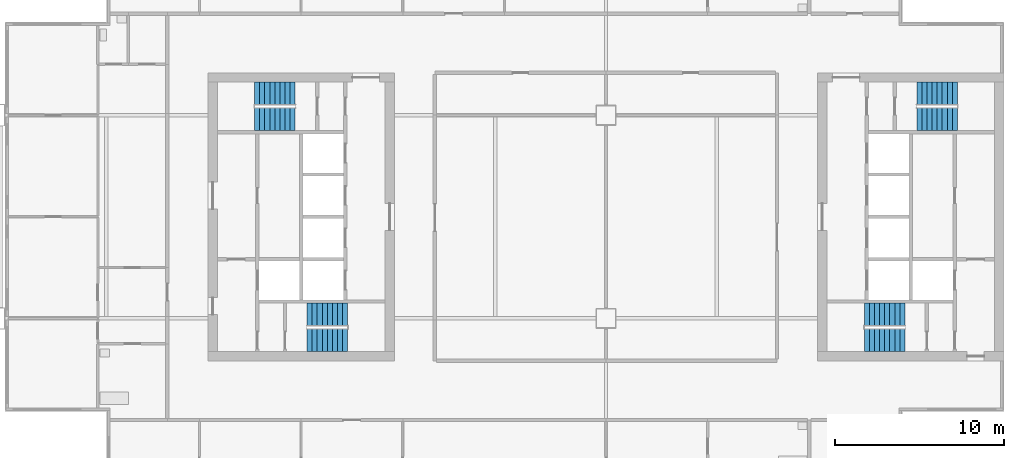
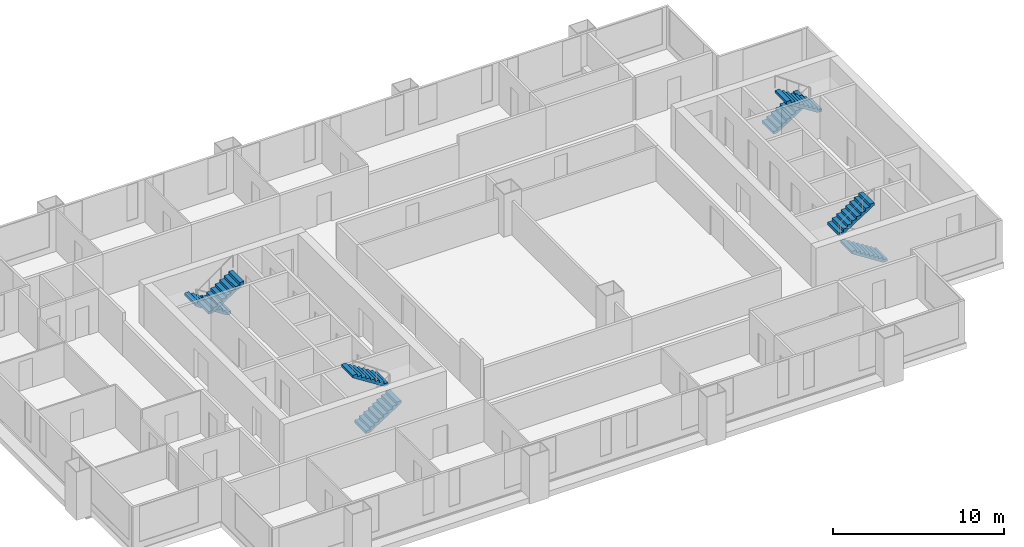
# One storey, part 7 of 9: 8 stair flights, 4 elements without a shape of their own.
"""IFC4 building model written with IfcOpenShell, lengths in metres."""

from ifc_helpers import new_model, si_unit, direction, frame, origin, place, context, subcontext, project, spatial, polyline, outline, extrude, material, type_object, element, aggregate, save


model = new_model("IFC4")

# Units and contexts
model_context = context("Model", 3, precision=1e-05, world=origin(), true_north=direction((0.0, 1.0)))
body_context = subcontext(model_context, "Body", "Model", "MODEL_VIEW")
ifc_project = project(units=[si_unit("LENGTHUNIT", "METRE"), si_unit("AREAUNIT", "SQUARE_METRE"), si_unit("VOLUMEUNIT", "CUBIC_METRE"), si_unit("PLANEANGLEUNIT", "RADIAN"), si_unit("MASSUNIT", "GRAM", prefix="KILO")], contexts=[model_context])

# Site, building, storey
site_placement = place(None, origin())
site = spatial("IfcSite", under=ifc_project, at=site_placement, CompositionType="ELEMENT")
building_placement = place(site_placement, origin())
building = spatial("IfcBuilding", under=site, at=building_placement, Name="Kitamizu Gate Tower and Museum", CompositionType="ELEMENT")
storey_placement = place(building_placement, frame((0.0, 0.0, 168.60009765625)))
storey = spatial("IfcBuildingStorey", under=building, at=storey_placement, Name="L44", CompositionType="ELEMENT", Elevation=168.60009765625)

# Stair, stair flights
ifc_material_1 = material(Name="Concrete Fc42", Category="concrete")
stair_type = type_object("IfcStairType", Name="Exit stair 1325 wide 192 rise 300 going", PredefinedType="HALF_TURN_STAIR", material=ifc_material_1)
stair_1_placement = place(storey_placement, origin())
stair_1 = element("IfcStair", 1, at=stair_1_placement, inside=storey, type_object=stair_type, Name="Exit stair ST1", PredefinedType="HALF_TURN_STAIR")
ifc_material_2 = material(Name="Concrete Fc42", Category="concrete")
stair_flight_type = type_object("IfcStairFlightType", Name="Stair flight 1325 wide 192 rise 300 going", PredefinedType="STRAIGHT", material=ifc_material_2)
stair_flight_1_placement = place(storey_placement, frame((18.35009765625, 22.71240234375, 0.0), z_axis=(0.0, 0.0, 1.0), x_axis=(1.0, 0.0, 0.0)))
stair_flight_1 = element("IfcStairFlight", 2, at=stair_flight_1_placement, type_object=stair_flight_type, Name="ST1 flight 1", NumberOfRisers=9, NumberOfTreads=8, PredefinedType="STRAIGHT", RiserHeight=0.191666667, TreadLength=0.3, context=body_context, shape_type="SweptSolid", body=[
    extrude(outline(polyline([(0.0, 0.0), (0.0, 0.191650390625), (0.300048828125, 0.191650390625), (0.300048828125, 0.38330078125), (0.60009765625, 0.38330078125), (0.60009765625, 0.574951171875), (0.89990234375, 0.574951171875), (0.89990234375, 0.7666015625), (1.199951171875, 0.7666015625), (1.199951171875, 0.958251953125), (1.5, 0.958251953125), (1.5, 1.14990234375), (1.800048828125, 1.14990234375), (1.800048828125, 1.341552734375), (2.10009765625, 1.341552734375), (2.10009765625, 1.533447265625), (2.39990234375, 1.533447265625), (2.39990234375, 1.72509765625), (2.39990234375, 1.35546875), (0.2783203125, 0.0), (0.0, 0.0)])), frame((0.0, 0.66259765625, 0.0), z_axis=(0.0, -1.0, 0.0), x_axis=(1.0, 0.0, 0.0)), (0.0, 0.0, 1.0), 1.324951171875),
])
stair_flight_2_placement = place(storey_placement, frame((20.75, 24.237548828125, 1.724853515625), z_axis=(0.0, 0.0, 1.0), x_axis=(-1.0, 0.0, 0.0)))
stair_flight_2 = element("IfcStairFlight", 3, at=stair_flight_2_placement, type_object=stair_flight_type, Name="ST1 flight 2", NumberOfRisers=9, NumberOfTreads=8, PredefinedType="STRAIGHT", RiserHeight=0.191666667, TreadLength=0.3, context=body_context, shape_type="SweptSolid", body=[
    extrude(outline(polyline([(0.0, 0.0), (0.0, 0.191650390625), (0.300048828125, 0.191650390625), (0.300048828125, 0.38330078125), (0.60009765625, 0.38330078125), (0.60009765625, 0.574951171875), (0.89990234375, 0.574951171875), (0.89990234375, 0.7666015625), (1.199951171875, 0.7666015625), (1.199951171875, 0.958251953125), (1.5, 0.958251953125), (1.5, 1.14990234375), (1.800048828125, 1.14990234375), (1.800048828125, 1.341552734375), (2.10009765625, 1.341552734375), (2.10009765625, 1.533447265625), (2.39990234375, 1.533447265625), (2.39990234375, 1.72509765625), (2.39990234375, 1.35546875), (0.2783203125, 0.0), (0.0, 0.0)])), frame((0.0, 0.66259765625, 0.0), z_axis=(0.0, -1.0, 0.0), x_axis=(1.0, 0.0, 0.0)), (0.0, 0.0, 1.0), 1.324951171875),
])
aggregate(stair_1, [stair_flight_1, stair_flight_2])

stair_2_placement = place(storey_placement, origin())
stair_2 = element("IfcStair", 4, at=stair_2_placement, inside=storey, type_object=stair_type, Name="Exit stair ST2", PredefinedType="HALF_TURN_STAIR")
stair_flight_3_placement = place(storey_placement, frame((17.64990234375, 37.28759765625, 0.0), z_axis=(0.0, 0.0, 1.0), x_axis=(-1.0, 0.0, 0.0)))
stair_flight_3 = element("IfcStairFlight", 5, at=stair_flight_3_placement, type_object=stair_flight_type, Name="ST2 flight 1", NumberOfRisers=9, NumberOfTreads=8, PredefinedType="STRAIGHT", RiserHeight=0.191666667, TreadLength=0.3, context=body_context, shape_type="SweptSolid", body=[
    extrude(outline(polyline([(0.0, 0.0), (0.0, 0.191650390625), (0.300048828125, 0.191650390625), (0.300048828125, 0.38330078125), (0.60009765625, 0.38330078125), (0.60009765625, 0.574951171875), (0.89990234375, 0.574951171875), (0.89990234375, 0.7666015625), (1.199951171875, 0.7666015625), (1.199951171875, 0.958251953125), (1.5, 0.958251953125), (1.5, 1.14990234375), (1.800048828125, 1.14990234375), (1.800048828125, 1.341552734375), (2.10009765625, 1.341552734375), (2.10009765625, 1.533447265625), (2.39990234375, 1.533447265625), (2.39990234375, 1.72509765625), (2.39990234375, 1.35546875), (0.2783203125, 0.0), (0.0, 0.0)])), frame((0.0, 0.66259765625, 0.0), z_axis=(0.0, -1.0, 0.0), x_axis=(1.0, 0.0, 0.0)), (0.0, 0.0, 1.0), 1.324951171875),
])
stair_flight_4_placement = place(storey_placement, frame((15.25, 35.762451171875, 1.724853515625), z_axis=(0.0, 0.0, 1.0), x_axis=(1.0, 0.0, 0.0)))
stair_flight_4 = element("IfcStairFlight", 6, at=stair_flight_4_placement, type_object=stair_flight_type, Name="ST2 flight 2", NumberOfRisers=9, NumberOfTreads=8, PredefinedType="STRAIGHT", RiserHeight=0.191666667, TreadLength=0.3, context=body_context, shape_type="SweptSolid", body=[
    extrude(outline(polyline([(0.0, 0.0), (0.0, 0.191650390625), (0.300048828125, 0.191650390625), (0.300048828125, 0.38330078125), (0.60009765625, 0.38330078125), (0.60009765625, 0.574951171875), (0.89990234375, 0.574951171875), (0.89990234375, 0.7666015625), (1.199951171875, 0.7666015625), (1.199951171875, 0.958251953125), (1.5, 0.958251953125), (1.5, 1.14990234375), (1.800048828125, 1.14990234375), (1.800048828125, 1.341552734375), (2.10009765625, 1.341552734375), (2.10009765625, 1.533447265625), (2.39990234375, 1.533447265625), (2.39990234375, 1.72509765625), (2.39990234375, 1.35546875), (0.2783203125, 0.0), (0.0, 0.0)])), frame((0.0, 0.66259765625, 0.0), z_axis=(0.0, -1.0, 0.0), x_axis=(1.0, 0.0, 0.0)), (0.0, 0.0, 1.0), 1.324951171875),
])
aggregate(stair_2, [stair_flight_3, stair_flight_4])

stair_3_placement = place(storey_placement, origin())
stair_3 = element("IfcStair", 7, at=stair_3_placement, inside=storey, type_object=stair_type, Name="Exit stair ST3", PredefinedType="HALF_TURN_STAIR")
stair_flight_5_placement = place(storey_placement, frame((53.64990234375, 22.71240234375, 0.0), z_axis=(0.0, 0.0, 1.0), x_axis=(-1.0, 0.0, 0.0)))
stair_flight_5 = element("IfcStairFlight", 8, at=stair_flight_5_placement, type_object=stair_flight_type, Name="ST3 flight 1", NumberOfRisers=9, NumberOfTreads=8, PredefinedType="STRAIGHT", RiserHeight=0.191666667, TreadLength=0.3, context=body_context, shape_type="SweptSolid", body=[
    extrude(outline(polyline([(0.0, 0.0), (0.0, 0.191650390625), (0.300048828125, 0.191650390625), (0.300048828125, 0.38330078125), (0.60009765625, 0.38330078125), (0.60009765625, 0.574951171875), (0.89990234375, 0.574951171875), (0.89990234375, 0.7666015625), (1.199951171875, 0.7666015625), (1.199951171875, 0.958251953125), (1.5, 0.958251953125), (1.5, 1.14990234375), (1.800048828125, 1.14990234375), (1.800048828125, 1.341552734375), (2.10009765625, 1.341552734375), (2.10009765625, 1.533447265625), (2.39990234375, 1.533447265625), (2.39990234375, 1.72509765625), (2.39990234375, 1.35546875), (0.2783203125, 0.0), (0.0, 0.0)])), frame((0.0, 0.66259765625, 0.0), z_axis=(0.0, -1.0, 0.0), x_axis=(1.0, 0.0, 0.0)), (0.0, 0.0, 1.0), 1.324951171875),
])
stair_flight_6_placement = place(storey_placement, frame((51.25, 24.237548828125, 1.724853515625), z_axis=(0.0, 0.0, 1.0), x_axis=(1.0, 0.0, 0.0)))
stair_flight_6 = element("IfcStairFlight", 9, at=stair_flight_6_placement, type_object=stair_flight_type, Name="ST3 flight 2", NumberOfRisers=9, NumberOfTreads=8, PredefinedType="STRAIGHT", RiserHeight=0.191666667, TreadLength=0.3, context=body_context, shape_type="SweptSolid", body=[
    extrude(outline(polyline([(0.0, 0.0), (0.0, 0.191650390625), (0.300048828125, 0.191650390625), (0.300048828125, 0.38330078125), (0.60009765625, 0.38330078125), (0.60009765625, 0.574951171875), (0.89990234375, 0.574951171875), (0.89990234375, 0.7666015625), (1.199951171875, 0.7666015625), (1.199951171875, 0.958251953125), (1.5, 0.958251953125), (1.5, 1.14990234375), (1.800048828125, 1.14990234375), (1.800048828125, 1.341552734375), (2.10009765625, 1.341552734375), (2.10009765625, 1.533447265625), (2.39990234375, 1.533447265625), (2.39990234375, 1.72509765625), (2.39990234375, 1.35546875), (0.2783203125, 0.0), (0.0, 0.0)])), frame((0.0, 0.66259765625, 0.0), z_axis=(0.0, -1.0, 0.0), x_axis=(1.0, 0.0, 0.0)), (0.0, 0.0, 1.0), 1.324951171875),
])
aggregate(stair_3, [stair_flight_5, stair_flight_6])

stair_4_placement = place(storey_placement, origin())
stair_4 = element("IfcStair", 10, at=stair_4_placement, inside=storey, type_object=stair_type, Name="Exit stair ST4", PredefinedType="HALF_TURN_STAIR")
stair_flight_7_placement = place(storey_placement, frame((54.35009765625, 37.28759765625, 0.0), z_axis=(0.0, 0.0, 1.0), x_axis=(1.0, 0.0, 0.0)))
stair_flight_7 = element("IfcStairFlight", 11, at=stair_flight_7_placement, type_object=stair_flight_type, Name="ST4 flight 1", NumberOfRisers=9, NumberOfTreads=8, PredefinedType="STRAIGHT", RiserHeight=0.191666667, TreadLength=0.3, context=body_context, shape_type="SweptSolid", body=[
    extrude(outline(polyline([(0.0, 0.0), (0.0, 0.191650390625), (0.300048828125, 0.191650390625), (0.300048828125, 0.38330078125), (0.60009765625, 0.38330078125), (0.60009765625, 0.574951171875), (0.89990234375, 0.574951171875), (0.89990234375, 0.7666015625), (1.199951171875, 0.7666015625), (1.199951171875, 0.958251953125), (1.5, 0.958251953125), (1.5, 1.14990234375), (1.800048828125, 1.14990234375), (1.800048828125, 1.341552734375), (2.10009765625, 1.341552734375), (2.10009765625, 1.533447265625), (2.39990234375, 1.533447265625), (2.39990234375, 1.72509765625), (2.39990234375, 1.35546875), (0.2783203125, 0.0), (0.0, 0.0)])), frame((0.0, 0.66259765625, 0.0), z_axis=(0.0, -1.0, 0.0), x_axis=(1.0, 0.0, 0.0)), (0.0, 0.0, 1.0), 1.324951171875),
])
stair_flight_8_placement = place(storey_placement, frame((56.75, 35.762451171875, 1.724853515625), z_axis=(0.0, 0.0, 1.0), x_axis=(-1.0, 0.0, 0.0)))
stair_flight_8 = element("IfcStairFlight", 12, at=stair_flight_8_placement, type_object=stair_flight_type, Name="ST4 flight 2", NumberOfRisers=9, NumberOfTreads=8, PredefinedType="STRAIGHT", RiserHeight=0.191666667, TreadLength=0.3, context=body_context, shape_type="SweptSolid", body=[
    extrude(outline(polyline([(0.0, 0.0), (0.0, 0.191650390625), (0.300048828125, 0.191650390625), (0.300048828125, 0.38330078125), (0.60009765625, 0.38330078125), (0.60009765625, 0.574951171875), (0.89990234375, 0.574951171875), (0.89990234375, 0.7666015625), (1.199951171875, 0.7666015625), (1.199951171875, 0.958251953125), (1.5, 0.958251953125), (1.5, 1.14990234375), (1.800048828125, 1.14990234375), (1.800048828125, 1.341552734375), (2.10009765625, 1.341552734375), (2.10009765625, 1.533447265625), (2.39990234375, 1.533447265625), (2.39990234375, 1.72509765625), (2.39990234375, 1.35546875), (0.2783203125, 0.0), (0.0, 0.0)])), frame((0.0, 0.66259765625, 0.0), z_axis=(0.0, -1.0, 0.0), x_axis=(1.0, 0.0, 0.0)), (0.0, 0.0, 1.0), 1.324951171875),
])
aggregate(stair_4, [stair_flight_7, stair_flight_8])

save(model, "model.ifc")
